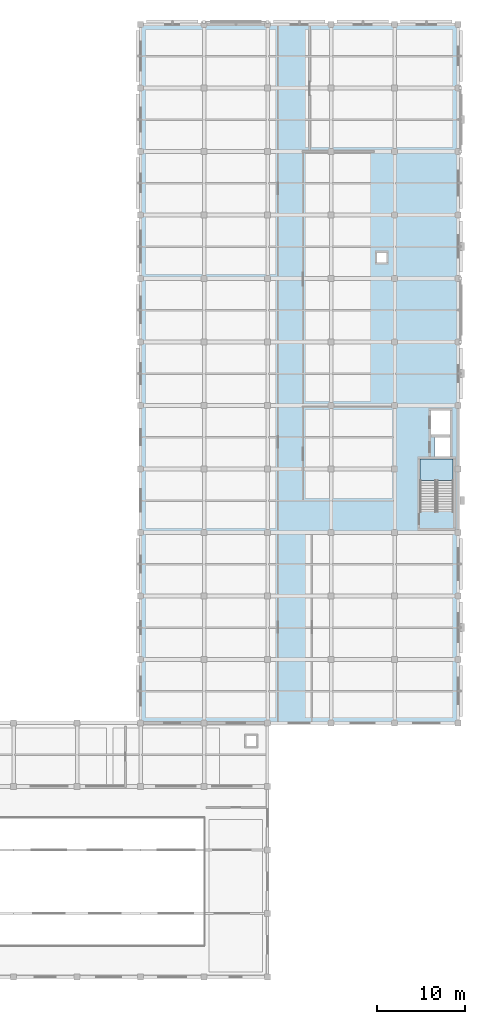
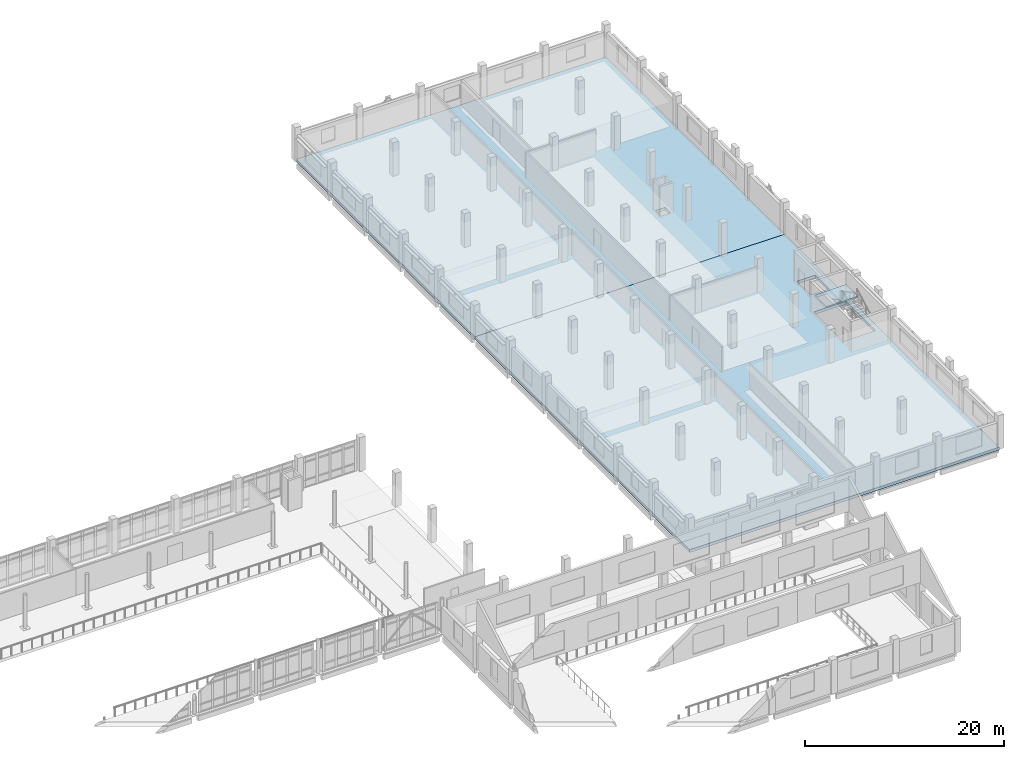
# One storey, part 34 of 62: 3 slabs, 1 element without a shape of its own.
"""IFC4 building model written with IfcOpenShell, lengths in metres."""

from ifc_helpers import new_model, si_unit, direction, frame, origin, place, context, subcontext, project, spatial, polyline, outline, extrude, material, layer, layer_set, type_object, element, aggregate, save


model = new_model("IFC4")

# Units and contexts
model_context = context("Model", 3, precision=1e-05, world=origin(), true_north=direction((0.0, 1.0)))
body_context = subcontext(model_context, "Body", "Model", "MODEL_VIEW")
ifc_project = project(units=[si_unit("LENGTHUNIT", "METRE"), si_unit("AREAUNIT", "SQUARE_METRE"), si_unit("VOLUMEUNIT", "CUBIC_METRE"), si_unit("PLANEANGLEUNIT", "RADIAN"), si_unit("MASSUNIT", "GRAM", prefix="KILO")], contexts=[model_context])

# Site, building, storey
site_placement = place(None, origin())
site = spatial("IfcSite", under=ifc_project, at=site_placement, CompositionType="ELEMENT")
building_placement = place(site_placement, origin())
building = spatial("IfcBuilding", under=site, at=building_placement, Name="Valkovuoma Quantum and Materials Research Institute", CompositionType="ELEMENT")
storey_placement = place(building_placement, frame((0.0, 0.0, 8.9599609375)))
storey = spatial("IfcBuildingStorey", under=building, at=storey_placement, Name="L02", CompositionType="ELEMENT", Elevation=8.9599609375)

# Slabs
ifc_material_1 = material(Name="Concrete C40/50", Category="concrete")
ifc_layer_1 = layer(ifc_material_1, 0.35009765625)
ifc_layer_set_1 = layer_set([ifc_layer_1], Name="Concrete C40/50")
slab_type_1 = type_object("IfcSlabType", Name="Slab-SL-FL350", PredefinedType="FLOOR", material=ifc_layer_set_1)
slab_1_placement = place(storey_placement, frame((0.0, 0.0, -0.349853515625)))
element("IfcSlab", 1, at=slab_1_placement, inside=storey, type_object=slab_type_1, Name="L02 vol4_wetlab structural slab 1", PredefinedType="FLOOR", context=body_context, shape_type="SweptSolid", body=[
    extrude(outline(polyline([(129.60009765625, 36.0), (165.60009765625, 36.0), (165.60009765625, 79.199951171875), (129.60009765625, 79.199951171875), (129.60009765625, 36.0)]), holes=[polyline([(161.300048828125, 59.9599609375), (165.050048828125, 59.9599609375), (165.050048828125, 65.89990234375), (161.300048828125, 65.89990234375), (161.300048828125, 59.9599609375)]), polyline([(162.919921875, 66.1201171875), (164.679931640625, 66.1201171875), (164.679931640625, 68.3798828125), (162.919921875, 68.3798828125), (162.919921875, 66.1201171875)]), polyline([(162.52001953125, 68.669921875), (164.679931640625, 68.669921875), (164.679931640625, 71.429931640625), (162.52001953125, 71.429931640625), (162.52001953125, 68.669921875)])]), origin(), (0.0, 0.0, 1.0), 0.349853515625),
])
slab_2_placement = place(storey_placement, frame((0.0, 0.0, -0.349853515625)))
element("IfcSlab", 2, at=slab_2_placement, inside=storey, type_object=slab_type_1, Name="L02 vol4_wetlab structural slab 2", PredefinedType="FLOOR", context=body_context, shape_type="SweptSolid", body=[
    extrude(outline(polyline([(129.60009765625, 79.199951171875), (165.60009765625, 79.199951171875), (165.60009765625, 115.199951171875), (129.60009765625, 115.199951171875), (129.60009765625, 79.199951171875)]), holes=[polyline([(156.39990234375, 88.199951171875), (157.5, 88.199951171875), (157.5, 89.300048828125), (156.39990234375, 89.300048828125), (156.39990234375, 88.199951171875)])]), origin(), (0.0, 0.0, 1.0), 0.349853515625),
])

# Stair, slab
ifc_material_2 = material(Name="Concrete C40/50", Category="concrete")
stair_type = type_object("IfcStairType", Name="Stair-ST-COR", PredefinedType="HALF_TURN_STAIR", material=ifc_material_2)
stair_placement = place(storey_placement, origin())
stair = element("IfcStair", 3, at=stair_placement, inside=storey, type_object=stair_type, Name="L02 Exit Stair ST-3", PredefinedType="HALF_TURN_STAIR")
ifc_material_3 = material(Name="Concrete C40/50", Category="concrete")
ifc_layer_2 = layer(ifc_material_3, 0.199951171875)
ifc_layer_set_2 = layer_set([ifc_layer_2], Name="Concrete C40/50")
slab_type_2 = type_object("IfcSlabType", Name="Slab-SL-LND200", PredefinedType="LANDING", material=ifc_layer_set_2)
slab_3_placement = place(storey_placement, frame((0.0, 0.0, 1.880126953125)))
slab_3 = element("IfcSlab", 4, at=slab_3_placement, type_object=slab_type_2, Name="ST-3 landing 1", PredefinedType="LANDING", context=body_context, shape_type="SweptSolid", body=[
    extrude(outline(polyline([(165.050048828125, 63.5), (165.050048828125, 65.89990234375), (161.300048828125, 65.89990234375), (161.300048828125, 63.5), (165.050048828125, 63.5)])), origin(), (0.0, 0.0, 1.0), 0.199951171875),
])
aggregate(stair, [slab_3])

save(model, "model.ifc")
